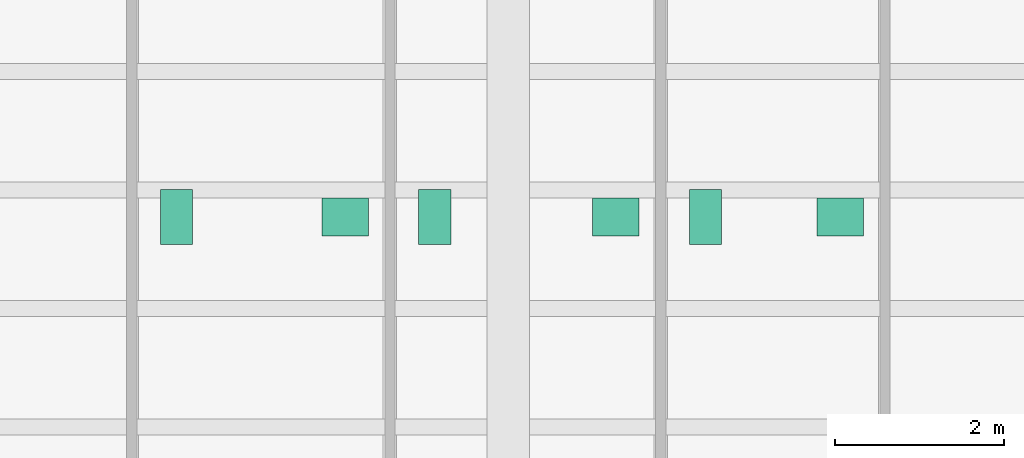
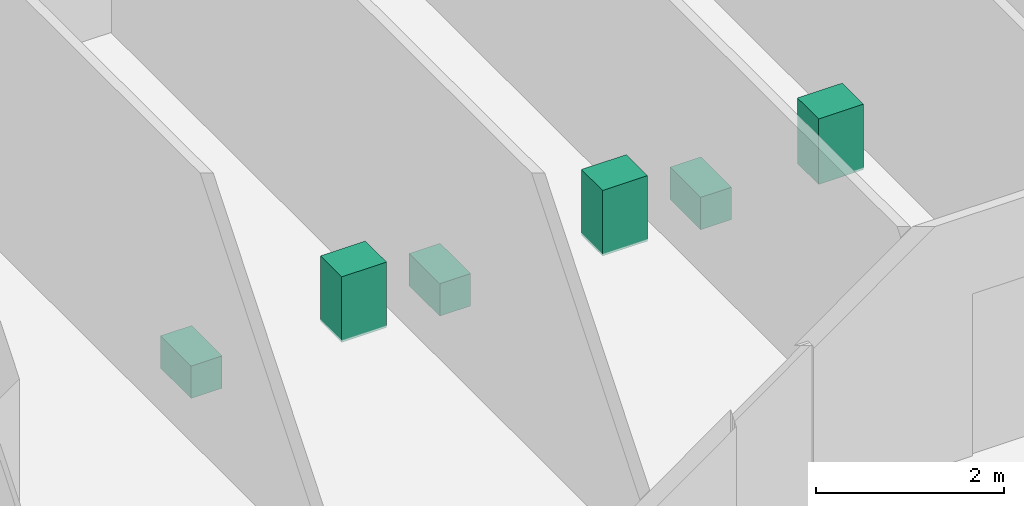
# One storey, part 9 of 9: 6 sanitary terminals.
"""IFC4 building model written with IfcOpenShell, lengths in metres."""

from ifc_helpers import new_model, si_unit, direction, frame, origin, origin_2d, place, context, subcontext, project, spatial, rectangle, extrude, material, type_object, element, save


model = new_model("IFC4")

# Units and contexts
model_context = context("Model", 3, precision=1e-05, world=origin(), true_north=direction((0.0, 1.0)))
body_context = subcontext(model_context, "Body", "Model", "MODEL_VIEW")
ifc_project = project(units=[si_unit("LENGTHUNIT", "METRE"), si_unit("AREAUNIT", "SQUARE_METRE"), si_unit("VOLUMEUNIT", "CUBIC_METRE"), si_unit("PLANEANGLEUNIT", "RADIAN"), si_unit("MASSUNIT", "GRAM", prefix="KILO")], contexts=[model_context])

# Site, building, storey
site_placement = place(None, origin())
site = spatial("IfcSite", under=ifc_project, at=site_placement, CompositionType="ELEMENT")
building_placement = place(site_placement, origin())
building = spatial("IfcBuilding", under=site, at=building_placement, Name="Kranthara Brick Stack", CompositionType="ELEMENT")
storey_placement = place(building_placement, frame((0.0, 0.0, 63.300048828125)))
storey = spatial("IfcBuildingStorey", under=building, at=storey_placement, Name="L15", CompositionType="ELEMENT", Elevation=63.300048828125)

# Sanitary terminals
ifc_material_1 = material(Name="Vitreous china sanitary porcelain", Category="other")
sanitary_terminal_type_1 = type_object("IfcSanitaryTerminalType", Name="SAN-BASIN", PredefinedType="WASHHANDBASIN", material=ifc_material_1)
for number, where, z_axis, x_axis, name in (
    (1, (26.070068359375, 29.985107421875, 0.0), (0.0, 0.0, 1.0), (1.0, 0.0, 0.0), "L15 Washbasin 45"),
    (2, (29.27001953125, 29.985107421875, 0.0), (0.0, 0.0, 1.0), (1.0, 0.0, 0.0), "L15 Washbasin 46"),
    (3, (31.919921875, 29.985107421875, 0.0), (0.0, 0.0, 1.0), (1.0, 0.0, 0.0), "L15 Washbasin 47"),
):
    element("IfcSanitaryTerminal", number, at=place(storey_placement, frame(where, z_axis=z_axis, x_axis=x_axis)), inside=storey, type_object=sanitary_terminal_type_1, Name=name, PredefinedType="WASHHANDBASIN", context=body_context, shape_type="SweptSolid", body=[
        extrude(rectangle(XDim=0.550048828125, YDim=0.449951171875, at=origin_2d()), origin(), (0.0, 0.0, 1.0), 0.85009765625),
    ])
ifc_material_2 = material(Name="Vitreous china sanitary porcelain", Category="other")
sanitary_terminal_type_2 = type_object("IfcSanitaryTerminalType", Name="SAN-WC-PAN", PredefinedType="TOILETPAN", material=ifc_material_2)
for number, where, z_axis, x_axis, name in (
    (4, (24.080078125, 29.985107421875, 0.0), (0.0, 0.0, 1.0), (1.0, 0.0, 0.0), "L15 WC Pan 45"),
    (5, (27.1298828125, 29.985107421875, 0.0), (0.0, 0.0, 1.0), (1.0, 0.0, 0.0), "L15 WC Pan 46"),
    (6, (30.330078125, 29.985107421875, 0.0), (0.0, 0.0, 1.0), (1.0, 0.0, 0.0), "L15 WC Pan 47"),
):
    element("IfcSanitaryTerminal", number, at=place(storey_placement, frame(where, z_axis=z_axis, x_axis=x_axis)), inside=storey, type_object=sanitary_terminal_type_2, Name=name, PredefinedType="TOILETPAN", context=body_context, shape_type="SweptSolid", body=[
        extrude(rectangle(XDim=0.3798828125, YDim=0.64990234375, at=origin_2d()), origin(), (0.0, 0.0, 1.0), 0.419921875),
    ])

save(model, "model.ifc")
